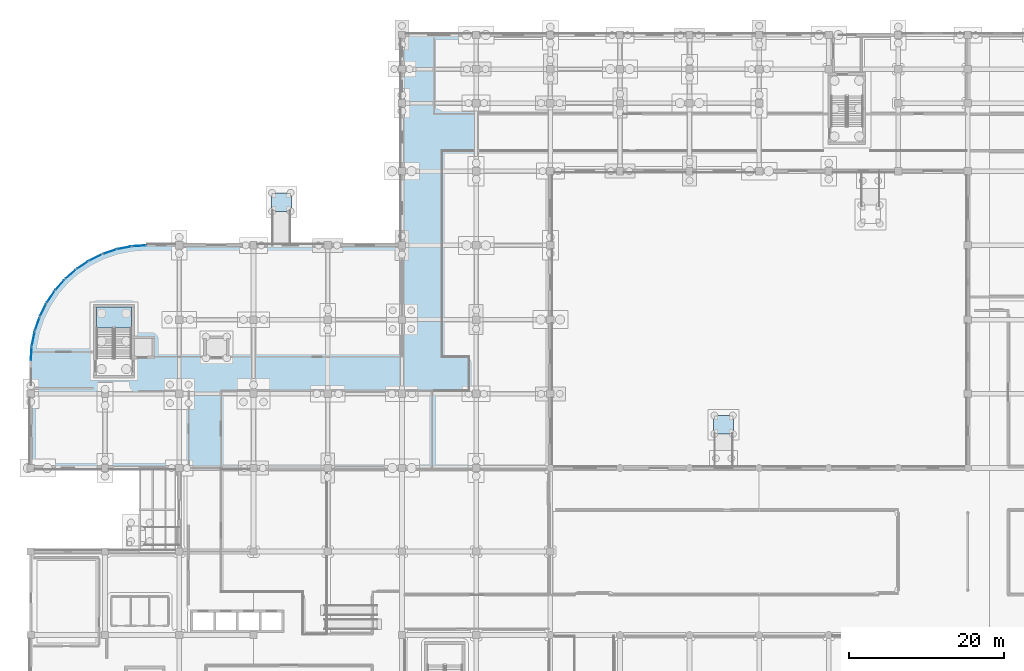
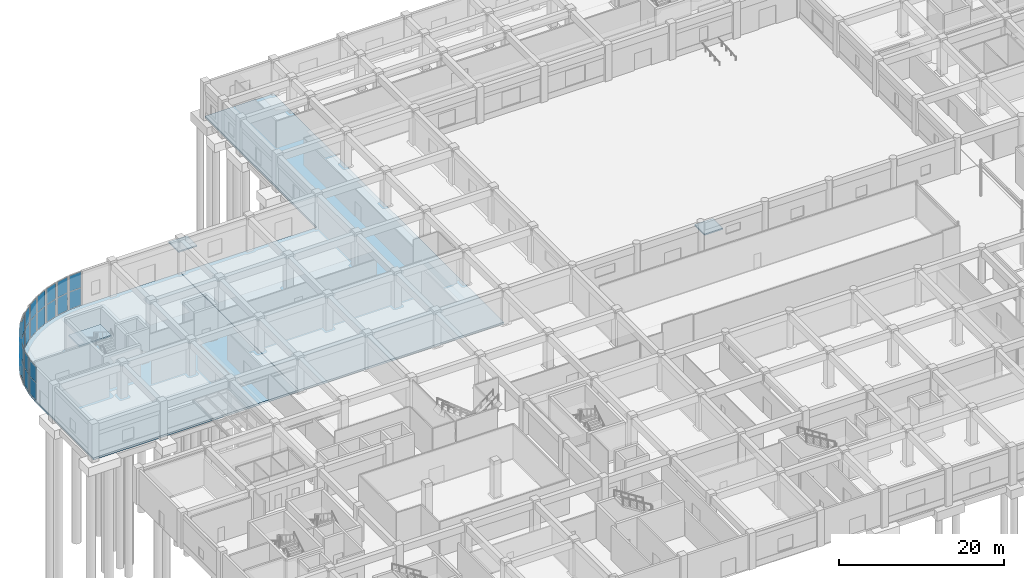
# One storey, part 21 of 74: 24 plates, 5 slabs, 15 elements without a shape of their own.
"""IFC4 building model written with IfcOpenShell, lengths in metres."""

from ifc_helpers import new_model, si_unit, direction, frame, origin, origin_2d, place, context, subcontext, project, spatial, polyline, rectangle, outline, extrude, material, layer, layer_set, type_object, element, aggregate, save


model = new_model("IFC4")

# Units and contexts
model_context = context("Model", 3, precision=1e-05, world=origin(), true_north=direction((0.0, 1.0)))
body_context = subcontext(model_context, "Body", "Model", "MODEL_VIEW")
ifc_project = project(units=[si_unit("LENGTHUNIT", "METRE"), si_unit("AREAUNIT", "SQUARE_METRE"), si_unit("VOLUMEUNIT", "CUBIC_METRE"), si_unit("PLANEANGLEUNIT", "RADIAN"), si_unit("MASSUNIT", "GRAM", prefix="KILO")], contexts=[model_context])

# Site, building, storey
site_placement = place(None, origin())
site = spatial("IfcSite", under=ifc_project, at=site_placement, CompositionType="ELEMENT")
building_placement = place(site_placement, origin())
building = spatial("IfcBuilding", under=site, at=building_placement, Name="Cendralis Terraced Arcade", CompositionType="ELEMENT")
storey_placement = place(building_placement, origin())
storey = spatial("IfcBuildingStorey", under=building, at=storey_placement, Name="L00", CompositionType="ELEMENT", Elevation=0.0)

# Curtain wall, plates
ifc_material_1 = material(Name="Anodised aluminium EN AW-6063 T6", Category="aluminium")
ifc_layer_1 = layer(ifc_material_1, 0.179931640625, Name="CW-UNIT-A")
ifc_layer_set_1 = layer_set([ifc_layer_1], Name="Anodised aluminium EN AW-6063 T6")
curtain_wall_type = type_object("IfcCurtainWallType", Name="CW-UNIT-A", PredefinedType="USERDEFINED", material=ifc_layer_set_1)
curtain_wall_1_placement = place(storey_placement, origin())
curtain_wall_1 = element("IfcCurtainWall", 1, at=curtain_wall_1_placement, inside=storey, type_object=curtain_wall_type, Name="Exterior Unitised Facade CW-L00-0013", ObjectType="UNITISED FACADE", PredefinedType="USERDEFINED")
ifc_material_2 = material(Name="Tempered solar control laminated glass", Category="glass")
ifc_layer_2 = layer(ifc_material_2, 0.035888671875, Name="CW-UNIT-A-PNL")
ifc_layer_set_2 = layer_set([ifc_layer_2], Name="Tempered solar control laminated glass")
plate_type = type_object("IfcPlateType", Name="CW-UNIT-A-PNL", PredefinedType="CURTAIN_PANEL", material=ifc_layer_set_2)
plate_1_placement = place(storey_placement, frame((0.064208984375, 74.779052734375, 0.06494140625), z_axis=(0.0, 0.0, 1.0), x_axis=(0.065371873798, 0.997860971336, 0.0)))
plate_1 = element("IfcPlate", 2, at=plate_1_placement, type_object=plate_type, Name="CW-U1 panel 1.1", PredefinedType="CURTAIN_PANEL", context=body_context, shape_type="SweptSolid", body=[
    extrude(rectangle(XDim=1.652099609375, YDim=0.035888671875, at=origin_2d()), origin(), (0.0, 0.0, 1.0), 2.54931640625),
])
plate_2_placement = place(storey_placement, frame((0.064208984375, 74.779052734375, 2.67919921875), z_axis=(0.0, 0.0, 1.0), x_axis=(0.065371873798, 0.997860971336, 0.0)))
plate_2 = element("IfcPlate", 3, at=plate_2_placement, type_object=plate_type, Name="CW-U1 panel 1.2", PredefinedType="CURTAIN_PANEL", context=body_context, shape_type="SweptSolid", body=[
    extrude(rectangle(XDim=1.652099609375, YDim=0.035888671875, at=origin_2d()), origin(), (0.0, 0.0, 1.0), 2.345703125),
])
aggregate(curtain_wall_1, [plate_1, plate_2])

curtain_wall_2_placement = place(storey_placement, origin())
curtain_wall_2 = element("IfcCurtainWall", 4, at=curtain_wall_2_placement, inside=storey, type_object=curtain_wall_type, Name="Exterior Unitised Facade CW-L00-0014", ObjectType="UNITISED FACADE", PredefinedType="USERDEFINED")
plate_3_placement = place(storey_placement, frame((0.319580078125, 76.72021484375, 0.06494140625), z_axis=(0.0, 0.0, 1.0), x_axis=(0.195058454434, 0.980791618721, 0.0)))
plate_3 = element("IfcPlate", 5, at=plate_3_placement, type_object=plate_type, Name="CW-U1 panel 1.1", PredefinedType="CURTAIN_PANEL", context=body_context, shape_type="SweptSolid", body=[
    extrude(rectangle(XDim=1.652099609375, YDim=0.035888671875, at=origin_2d()), origin(), (0.0, 0.0, 1.0), 2.54931640625),
])
plate_4_placement = place(storey_placement, frame((0.319580078125, 76.72021484375, 2.67919921875), z_axis=(0.0, 0.0, 1.0), x_axis=(0.195058454434, 0.980791618721, 0.0)))
plate_4 = element("IfcPlate", 6, at=plate_4_placement, type_object=plate_type, Name="CW-U1 panel 1.2", PredefinedType="CURTAIN_PANEL", context=body_context, shape_type="SweptSolid", body=[
    extrude(rectangle(XDim=1.652099609375, YDim=0.035888671875, at=origin_2d()), origin(), (0.0, 0.0, 1.0), 2.345703125),
])
aggregate(curtain_wall_2, [plate_3, plate_4])

curtain_wall_3_placement = place(storey_placement, origin())
curtain_wall_3 = element("IfcCurtainWall", 7, at=curtain_wall_3_placement, inside=storey, type_object=curtain_wall_type, Name="Exterior Unitised Facade CW-L00-0015", ObjectType="UNITISED FACADE", PredefinedType="USERDEFINED")
plate_5_placement = place(storey_placement, frame((0.826416015625, 78.611328125, 0.06494140625), z_axis=(0.0, 0.0, 1.0), x_axis=(0.321458077458, 0.946923811316, 0.0)))
plate_5 = element("IfcPlate", 8, at=plate_5_placement, type_object=plate_type, Name="CW-U1 panel 1.1", PredefinedType="CURTAIN_PANEL", context=body_context, shape_type="SweptSolid", body=[
    extrude(rectangle(XDim=1.652099609375, YDim=0.035888671875, at=origin_2d()), origin(), (0.0, 0.0, 1.0), 2.54931640625),
])
plate_6_placement = place(storey_placement, frame((0.826416015625, 78.611328125, 2.67919921875), z_axis=(0.0, 0.0, 1.0), x_axis=(0.321458077458, 0.946923811316, 0.0)))
plate_6 = element("IfcPlate", 9, at=plate_6_placement, type_object=plate_type, Name="CW-U1 panel 1.2", PredefinedType="CURTAIN_PANEL", context=body_context, shape_type="SweptSolid", body=[
    extrude(rectangle(XDim=1.652099609375, YDim=0.035888671875, at=origin_2d()), origin(), (0.0, 0.0, 1.0), 2.345703125),
])
aggregate(curtain_wall_3, [plate_5, plate_6])

curtain_wall_4_placement = place(storey_placement, origin())
curtain_wall_4 = element("IfcCurtainWall", 10, at=curtain_wall_4_placement, inside=storey, type_object=curtain_wall_type, Name="Exterior Unitised Facade CW-L00-0016", ObjectType="UNITISED FACADE", PredefinedType="USERDEFINED")
plate_7_placement = place(storey_placement, frame((1.57568359375, 80.420166015625, 0.06494140625), z_axis=(0.0, 0.0, 1.0), x_axis=(0.442291247495, 0.896871480419, 0.0)))
plate_7 = element("IfcPlate", 11, at=plate_7_placement, type_object=plate_type, Name="CW-U1 panel 1.1", PredefinedType="CURTAIN_PANEL", context=body_context, shape_type="SweptSolid", body=[
    extrude(rectangle(XDim=1.652099609375, YDim=0.035888671875, at=origin_2d()), origin(), (0.0, 0.0, 1.0), 2.54931640625),
])
plate_8_placement = place(storey_placement, frame((1.57568359375, 80.420166015625, 2.67919921875), z_axis=(0.0, 0.0, 1.0), x_axis=(0.442291247495, 0.896871480419, 0.0)))
plate_8 = element("IfcPlate", 12, at=plate_8_placement, type_object=plate_type, Name="CW-U1 panel 1.2", PredefinedType="CURTAIN_PANEL", context=body_context, shape_type="SweptSolid", body=[
    extrude(rectangle(XDim=1.652099609375, YDim=0.035888671875, at=origin_2d()), origin(), (0.0, 0.0, 1.0), 2.345703125),
])
aggregate(curtain_wall_4, [plate_7, plate_8])

curtain_wall_5_placement = place(storey_placement, origin())
curtain_wall_5 = element("IfcCurtainWall", 13, at=curtain_wall_5_placement, inside=storey, type_object=curtain_wall_type, Name="Exterior Unitised Facade CW-L00-0017", ObjectType="UNITISED FACADE", PredefinedType="USERDEFINED")
plate_9_placement = place(storey_placement, frame((2.5546875, 82.11572265625, 0.06494140625), z_axis=(0.0, 0.0, 1.0), x_axis=(0.555567476528, 0.831471454125, 0.0)))
plate_9 = element("IfcPlate", 14, at=plate_9_placement, type_object=plate_type, Name="CW-U1 panel 1.1", PredefinedType="CURTAIN_PANEL", context=body_context, shape_type="SweptSolid", body=[
    extrude(rectangle(XDim=1.652099609375, YDim=0.035888671875, at=origin_2d()), origin(), (0.0, 0.0, 1.0), 2.54931640625),
])
plate_10_placement = place(storey_placement, frame((2.5546875, 82.11572265625, 2.67919921875), z_axis=(0.0, 0.0, 1.0), x_axis=(0.555567476528, 0.831471454125, 0.0)))
plate_10 = element("IfcPlate", 15, at=plate_10_placement, type_object=plate_type, Name="CW-U1 panel 1.2", PredefinedType="CURTAIN_PANEL", context=body_context, shape_type="SweptSolid", body=[
    extrude(rectangle(XDim=1.652099609375, YDim=0.035888671875, at=origin_2d()), origin(), (0.0, 0.0, 1.0), 2.345703125),
])
aggregate(curtain_wall_5, [plate_9, plate_10])

curtain_wall_6_placement = place(storey_placement, origin())
curtain_wall_6 = element("IfcCurtainWall", 16, at=curtain_wall_6_placement, inside=storey, type_object=curtain_wall_type, Name="Exterior Unitised Facade CW-L00-0018", ObjectType="UNITISED FACADE", PredefinedType="USERDEFINED")
plate_11_placement = place(storey_placement, frame((3.74658203125, 83.6689453125, 0.06494140625), z_axis=(0.0, 0.0, 1.0), x_axis=(0.659386076266, 0.751804497477, 0.0)))
plate_11 = element("IfcPlate", 17, at=plate_11_placement, type_object=plate_type, Name="CW-U1 panel 1.1", PredefinedType="CURTAIN_PANEL", context=body_context, shape_type="SweptSolid", body=[
    extrude(rectangle(XDim=1.652099609375, YDim=0.035888671875, at=origin_2d()), origin(), (0.0, 0.0, 1.0), 2.54931640625),
])
plate_12_placement = place(storey_placement, frame((3.74658203125, 83.6689453125, 2.67919921875), z_axis=(0.0, 0.0, 1.0), x_axis=(0.659386076266, 0.751804497477, 0.0)))
plate_12 = element("IfcPlate", 18, at=plate_12_placement, type_object=plate_type, Name="CW-U1 panel 1.2", PredefinedType="CURTAIN_PANEL", context=body_context, shape_type="SweptSolid", body=[
    extrude(rectangle(XDim=1.652099609375, YDim=0.035888671875, at=origin_2d()), origin(), (0.0, 0.0, 1.0), 2.345703125),
])
aggregate(curtain_wall_6, [plate_11, plate_12])

curtain_wall_7_placement = place(storey_placement, origin())
curtain_wall_7 = element("IfcCurtainWall", 19, at=curtain_wall_7_placement, inside=storey, type_object=curtain_wall_type, Name="Exterior Unitised Facade CW-L00-0019", ObjectType="UNITISED FACADE", PredefinedType="USERDEFINED")
plate_13_placement = place(storey_placement, frame((5.131103515625, 85.053466796875, 0.06494140625), z_axis=(0.0, 0.0, 1.0), x_axis=(0.751804497477, 0.659386076266, 0.0)))
plate_13 = element("IfcPlate", 20, at=plate_13_placement, type_object=plate_type, Name="CW-U1 panel 1.1", PredefinedType="CURTAIN_PANEL", context=body_context, shape_type="SweptSolid", body=[
    extrude(rectangle(XDim=1.652099609375, YDim=0.035888671875, at=origin_2d()), origin(), (0.0, 0.0, 1.0), 2.54931640625),
])
plate_14_placement = place(storey_placement, frame((5.131103515625, 85.053466796875, 2.67919921875), z_axis=(0.0, 0.0, 1.0), x_axis=(0.751804497477, 0.659386076266, 0.0)))
plate_14 = element("IfcPlate", 21, at=plate_14_placement, type_object=plate_type, Name="CW-U1 panel 1.2", PredefinedType="CURTAIN_PANEL", context=body_context, shape_type="SweptSolid", body=[
    extrude(rectangle(XDim=1.652099609375, YDim=0.035888671875, at=origin_2d()), origin(), (0.0, 0.0, 1.0), 2.345703125),
])
aggregate(curtain_wall_7, [plate_13, plate_14])

curtain_wall_8_placement = place(storey_placement, origin())
curtain_wall_8 = element("IfcCurtainWall", 22, at=curtain_wall_8_placement, inside=storey, type_object=curtain_wall_type, Name="Exterior Unitised Facade CW-L00-0020", ObjectType="UNITISED FACADE", PredefinedType="USERDEFINED")
plate_15_placement = place(storey_placement, frame((6.684326171875, 86.245361328125, 0.06494140625), z_axis=(0.0, 0.0, 1.0), x_axis=(0.831471454125, 0.555567476528, 0.0)))
plate_15 = element("IfcPlate", 23, at=plate_15_placement, type_object=plate_type, Name="CW-U1 panel 1.1", PredefinedType="CURTAIN_PANEL", context=body_context, shape_type="SweptSolid", body=[
    extrude(rectangle(XDim=1.652099609375, YDim=0.035888671875, at=origin_2d()), origin(), (0.0, 0.0, 1.0), 2.54931640625),
])
plate_16_placement = place(storey_placement, frame((6.684326171875, 86.245361328125, 2.67919921875), z_axis=(0.0, 0.0, 1.0), x_axis=(0.831471454125, 0.555567476528, 0.0)))
plate_16 = element("IfcPlate", 24, at=plate_16_placement, type_object=plate_type, Name="CW-U1 panel 1.2", PredefinedType="CURTAIN_PANEL", context=body_context, shape_type="SweptSolid", body=[
    extrude(rectangle(XDim=1.652099609375, YDim=0.035888671875, at=origin_2d()), origin(), (0.0, 0.0, 1.0), 2.345703125),
])
aggregate(curtain_wall_8, [plate_15, plate_16])

curtain_wall_9_placement = place(storey_placement, origin())
curtain_wall_9 = element("IfcCurtainWall", 25, at=curtain_wall_9_placement, inside=storey, type_object=curtain_wall_type, Name="Exterior Unitised Facade CW-L00-0021", ObjectType="UNITISED FACADE", PredefinedType="USERDEFINED")
plate_17_placement = place(storey_placement, frame((8.3798828125, 87.224365234375, 0.06494140625), z_axis=(0.0, 0.0, 1.0), x_axis=(0.896871480419, 0.442291247495, 0.0)))
plate_17 = element("IfcPlate", 26, at=plate_17_placement, type_object=plate_type, Name="CW-U1 panel 1.1", PredefinedType="CURTAIN_PANEL", context=body_context, shape_type="SweptSolid", body=[
    extrude(rectangle(XDim=1.652099609375, YDim=0.035888671875, at=origin_2d()), origin(), (0.0, 0.0, 1.0), 2.54931640625),
])
plate_18_placement = place(storey_placement, frame((8.3798828125, 87.224365234375, 2.67919921875), z_axis=(0.0, 0.0, 1.0), x_axis=(0.896871480419, 0.442291247495, 0.0)))
plate_18 = element("IfcPlate", 27, at=plate_18_placement, type_object=plate_type, Name="CW-U1 panel 1.2", PredefinedType="CURTAIN_PANEL", context=body_context, shape_type="SweptSolid", body=[
    extrude(rectangle(XDim=1.652099609375, YDim=0.035888671875, at=origin_2d()), origin(), (0.0, 0.0, 1.0), 2.345703125),
])
aggregate(curtain_wall_9, [plate_17, plate_18])

curtain_wall_10_placement = place(storey_placement, origin())
curtain_wall_10 = element("IfcCurtainWall", 28, at=curtain_wall_10_placement, inside=storey, type_object=curtain_wall_type, Name="Exterior Unitised Facade CW-L00-0022", ObjectType="UNITISED FACADE", PredefinedType="USERDEFINED")
plate_19_placement = place(storey_placement, frame((10.188720703125, 87.9736328125, 0.06494140625), z_axis=(0.0, 0.0, 1.0), x_axis=(0.946923811316, 0.321458077458, 0.0)))
plate_19 = element("IfcPlate", 29, at=plate_19_placement, type_object=plate_type, Name="CW-U1 panel 1.1", PredefinedType="CURTAIN_PANEL", context=body_context, shape_type="SweptSolid", body=[
    extrude(rectangle(XDim=1.652099609375, YDim=0.035888671875, at=origin_2d()), origin(), (0.0, 0.0, 1.0), 2.54931640625),
])
plate_20_placement = place(storey_placement, frame((10.188720703125, 87.9736328125, 2.67919921875), z_axis=(0.0, 0.0, 1.0), x_axis=(0.946923811316, 0.321458077458, 0.0)))
plate_20 = element("IfcPlate", 30, at=plate_20_placement, type_object=plate_type, Name="CW-U1 panel 1.2", PredefinedType="CURTAIN_PANEL", context=body_context, shape_type="SweptSolid", body=[
    extrude(rectangle(XDim=1.652099609375, YDim=0.035888671875, at=origin_2d()), origin(), (0.0, 0.0, 1.0), 2.345703125),
])
aggregate(curtain_wall_10, [plate_19, plate_20])

curtain_wall_11_placement = place(storey_placement, origin())
curtain_wall_11 = element("IfcCurtainWall", 31, at=curtain_wall_11_placement, inside=storey, type_object=curtain_wall_type, Name="Exterior Unitised Facade CW-L00-0023", ObjectType="UNITISED FACADE", PredefinedType="USERDEFINED")
plate_21_placement = place(storey_placement, frame((12.079833984375, 88.480224609375, 0.06494140625), z_axis=(0.0, 0.0, 1.0), x_axis=(0.980791618721, 0.195058454434, 0.0)))
plate_21 = element("IfcPlate", 32, at=plate_21_placement, type_object=plate_type, Name="CW-U1 panel 1.1", PredefinedType="CURTAIN_PANEL", context=body_context, shape_type="SweptSolid", body=[
    extrude(rectangle(XDim=1.652099609375, YDim=0.035888671875, at=origin_2d()), origin(), (0.0, 0.0, 1.0), 2.54931640625),
])
plate_22_placement = place(storey_placement, frame((12.079833984375, 88.480224609375, 2.67919921875), z_axis=(0.0, 0.0, 1.0), x_axis=(0.980791618721, 0.195058454434, 0.0)))
plate_22 = element("IfcPlate", 33, at=plate_22_placement, type_object=plate_type, Name="CW-U1 panel 1.2", PredefinedType="CURTAIN_PANEL", context=body_context, shape_type="SweptSolid", body=[
    extrude(rectangle(XDim=1.652099609375, YDim=0.035888671875, at=origin_2d()), origin(), (0.0, 0.0, 1.0), 2.345703125),
])
aggregate(curtain_wall_11, [plate_21, plate_22])

curtain_wall_12_placement = place(storey_placement, origin())
curtain_wall_12 = element("IfcCurtainWall", 34, at=curtain_wall_12_placement, inside=storey, type_object=curtain_wall_type, Name="Exterior Unitised Facade CW-L00-0024", ObjectType="UNITISED FACADE", PredefinedType="USERDEFINED")
plate_23_placement = place(storey_placement, frame((14.02099609375, 88.73583984375, 0.06494140625), z_axis=(0.0, 0.0, 1.0), x_axis=(0.997860971336, 0.065371873798, 0.0)))
plate_23 = element("IfcPlate", 35, at=plate_23_placement, type_object=plate_type, Name="CW-U1 panel 1.1", PredefinedType="CURTAIN_PANEL", context=body_context, shape_type="SweptSolid", body=[
    extrude(rectangle(XDim=1.652099609375, YDim=0.035888671875, at=origin_2d()), origin(), (0.0, 0.0, 1.0), 2.54931640625),
])
plate_24_placement = place(storey_placement, frame((14.02099609375, 88.73583984375, 2.67919921875), z_axis=(0.0, 0.0, 1.0), x_axis=(0.997860971336, 0.065371873798, 0.0)))
plate_24 = element("IfcPlate", 36, at=plate_24_placement, type_object=plate_type, Name="CW-U1 panel 1.2", PredefinedType="CURTAIN_PANEL", context=body_context, shape_type="SweptSolid", body=[
    extrude(rectangle(XDim=1.652099609375, YDim=0.035888671875, at=origin_2d()), origin(), (0.0, 0.0, 1.0), 2.345703125),
])
aggregate(curtain_wall_12, [plate_23, plate_24])

# Slabs
ifc_material_3 = material(Name="Concrete f'c 35 MPa", Category="concrete")
ifc_layer_3 = layer(ifc_material_3, 0.300048828125, Name="SLB-L00-300")
ifc_layer_set_3 = layer_set([ifc_layer_3], Name="Concrete f'c 35 MPa")
slab_type_1 = type_object("IfcSlabType", Name="SLB-L00-300", PredefinedType="FLOOR", material=ifc_layer_set_3)
slab_1_placement = place(storey_placement, frame((0.0, 0.0, -0.300048828125)))
element("IfcSlab", 37, at=slab_1_placement, inside=storey, type_object=slab_type_1, Name="Reinforced Concrete Floor Slab SLB-L00-V3-W1-1", PredefinedType="FLOOR", context=body_context, shape_type="SweptSolid", body=[
    extrude(outline(polyline([(0.510986328125, 77.682373046875), (1.141845703125, 79.540283203125), (2.009521484375, 81.300048828125), (3.099609375, 82.931396484375), (4.393310546875, 84.406494140625), (5.86865234375, 85.7001953125), (7.5, 86.790283203125), (9.259765625, 87.658203125), (11.11767578125, 88.288818359375), (13.0419921875, 88.671630859375), (15.0, 88.800048828125), (28.800048828125, 88.800048828125), (28.800048828125, 60.02001953125), (0.0, 60.0), (0.0, 73.800048828125), (0.12841796875, 75.7578125), (0.510986328125, 77.682373046875)])), origin(), (0.0, 0.0, 1.0), 0.300048828125),
])
slab_2_placement = place(storey_placement, frame((0.0, 0.0, -0.300048828125)))
element("IfcSlab", 38, at=slab_2_placement, inside=storey, type_object=slab_type_1, Name="Reinforced Concrete Floor Slab SLB-L00-V3-W2-1", PredefinedType="FLOOR", context=body_context, shape_type="SweptSolid", body=[
    extrude(outline(polyline([(57.60009765625, 116.0), (57.60009765625, 60.02001953125), (28.820068359375, 60.02001953125), (28.820068359375, 88.800048828125), (48.0, 88.800048828125), (48.0, 116.0), (57.60009765625, 116.0)])), origin(), (0.0, 0.0, 1.0), 0.300048828125),
])

# Ramp, slab
ramp_type = type_object("IfcRampType", Name="RMP-PED-2400", PredefinedType="STRAIGHT_RUN_RAMP", material=ifc_material_3)
ramp_1_placement = place(storey_placement, origin())
ramp_1 = element("IfcRamp", 39, at=ramp_1_placement, inside=storey, type_object=ramp_type, Name="Accessible Pedestrian Central Court South Ramp RMP-04", PredefinedType="STRAIGHT_RUN_RAMP")
ifc_layer_4 = layer(ifc_material_3, 0.195068359375, Name="SLB-RAMP-LND-195")
ifc_layer_set_4 = layer_set([ifc_layer_4], Name="Concrete f'c 35 MPa")
slab_type_2 = type_object("IfcSlabType", Name="SLB-RAMP-LND-195", PredefinedType="LANDING", material=ifc_layer_set_4)
slab_3_placement = place(storey_placement, frame((0.0, 0.0, -0.554931640625)))
slab_3 = element("IfcSlab", 40, at=slab_3_placement, type_object=slab_type_2, Name="Accessible Pedestrian Central Court South Ramp RMP-04 landing 1", PredefinedType="LANDING", context=body_context, shape_type="SweptSolid", body=[
    extrude(outline(polyline([(88.300048828125, 64.39990234375), (90.89990234375, 64.39990234375), (90.89990234375, 66.800048828125), (88.300048828125, 66.800048828125), (88.300048828125, 64.39990234375)])), origin(), (0.0, 0.0, 1.0), 0.19482421875),
])
aggregate(ramp_1, [slab_3])

ramp_2_placement = place(storey_placement, origin())
ramp_2 = element("IfcRamp", 41, at=ramp_2_placement, inside=storey, type_object=ramp_type, Name="Accessible Pedestrian Forecourt Ramp RMP-06", PredefinedType="STRAIGHT_RUN_RAMP")
slab_4_placement = place(storey_placement, frame((0.0, 0.0, -0.554931640625)))
slab_4 = element("IfcSlab", 42, at=slab_4_placement, type_object=slab_type_2, Name="Accessible Pedestrian Forecourt Ramp RMP-06 landing 1", PredefinedType="LANDING", context=body_context, shape_type="SweptSolid", body=[
    extrude(outline(polyline([(31.10009765625, 93.199951171875), (33.699951171875, 93.199951171875), (33.699951171875, 95.60009765625), (31.10009765625, 95.60009765625), (31.10009765625, 93.199951171875)])), origin(), (0.0, 0.0, 1.0), 0.19482421875),
])
aggregate(ramp_2, [slab_4])

# Stair, slab
stair_type = type_object("IfcStairType", Name="STR-W215-H480", PredefinedType="HALF_TURN_STAIR", material=ifc_material_3)
stair_placement = place(storey_placement, origin())
stair = element("IfcStair", 43, at=stair_placement, inside=storey, type_object=stair_type, Name="L00 Protected Exit Stair ST-07", PredefinedType="HALF_TURN_STAIR")
ifc_layer_5 = layer(ifc_material_3, 0.199951171875, Name="SLB-STAIR-LND-200")
ifc_layer_set_5 = layer_set([ifc_layer_5], Name="Concrete f'c 35 MPa")
slab_type_3 = type_object("IfcSlabType", Name="SLB-STAIR-LND-200", PredefinedType="LANDING", material=ifc_layer_set_5)
slab_5_placement = place(storey_placement, frame((0.0, 0.0, 2.5)))
slab_5 = element("IfcSlab", 44, at=slab_5_placement, type_object=slab_type_3, Name="ST-07 landing 1", PredefinedType="LANDING", context=body_context, shape_type="SweptSolid", body=[
    extrude(outline(polyline([(13.0, 78.139892578125), (13.0, 80.800048828125), (8.5, 80.800048828125), (8.5, 78.139892578125), (13.0, 78.139892578125)])), origin(), (0.0, 0.0, 1.0), 0.199951171875),
])
aggregate(stair, [slab_5])

save(model, "model.ifc")
